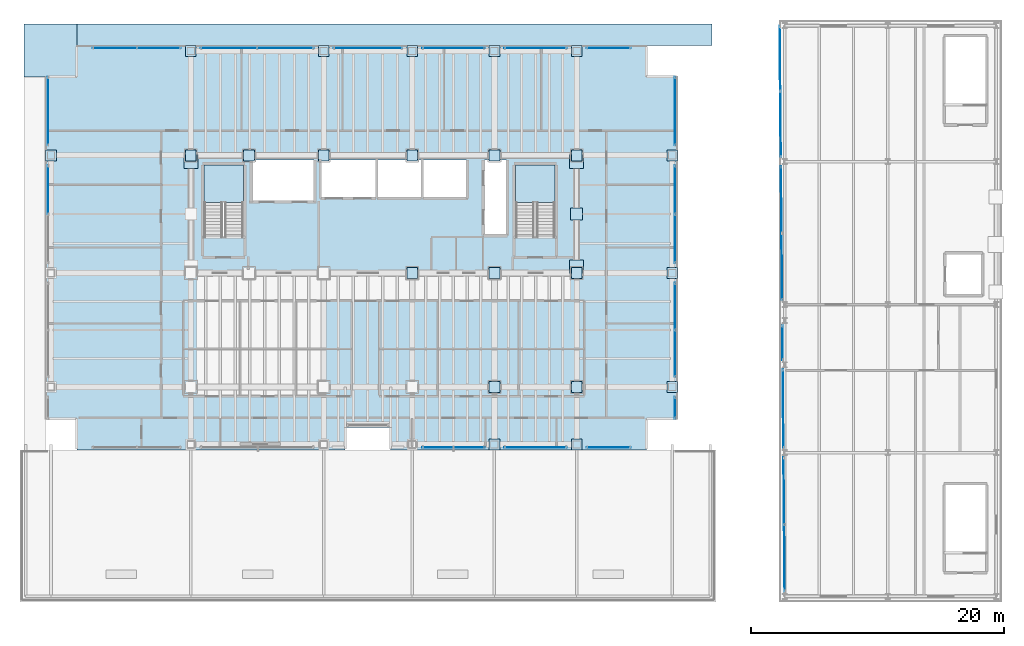
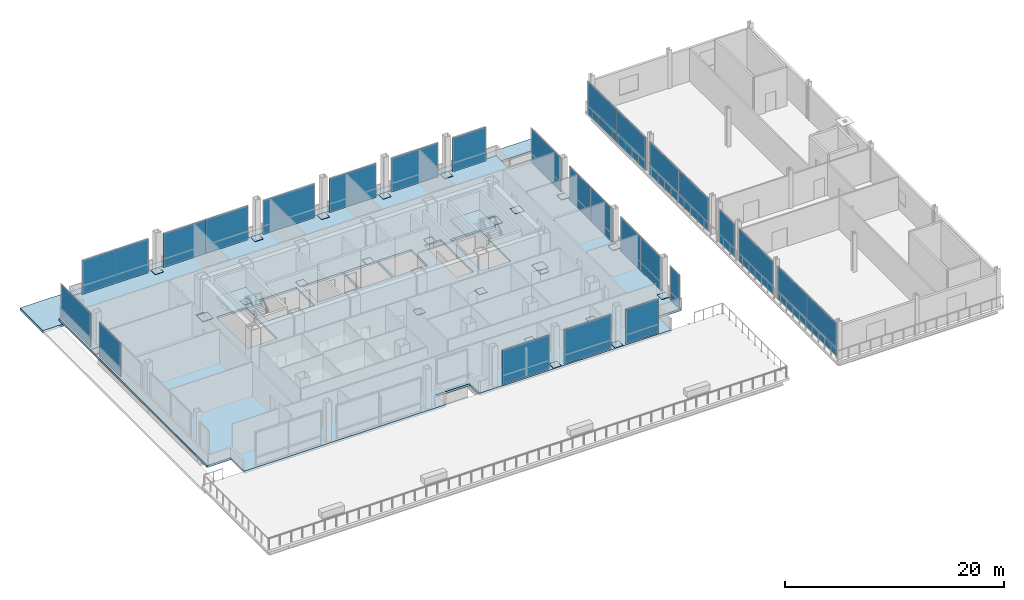
# One storey, part 24 of 34: 53 plates, 5 slabs, 7 openings, 22 elements without a shape of their own.
"""IFC4 building model written with IfcOpenShell, lengths in metres."""

from ifc_helpers import new_model, si_unit, direction, frame, origin, origin_2d, place, context, subcontext, project, spatial, polyline, rectangle, outline, extrude, material, layer, layer_set, type_object, element, aggregate, save


model = new_model("IFC4")

# Units and contexts
model_context = context("Model", 3, precision=1e-05, world=origin(), true_north=direction((0.0, 1.0)))
body_context = subcontext(model_context, "Body", "Model", "MODEL_VIEW")
ifc_project = project(units=[si_unit("LENGTHUNIT", "METRE"), si_unit("AREAUNIT", "SQUARE_METRE"), si_unit("VOLUMEUNIT", "CUBIC_METRE"), si_unit("PLANEANGLEUNIT", "RADIAN"), si_unit("MASSUNIT", "GRAM", prefix="KILO")], contexts=[model_context])

# Site, building, storey
site_placement = place(None, origin())
site = spatial("IfcSite", under=ifc_project, at=site_placement, CompositionType="ELEMENT")
building_placement = place(site_placement, origin())
building = spatial("IfcBuilding", under=site, at=building_placement, Name="Noeulbin Bourse Tower", CompositionType="ELEMENT")
storey_placement = place(building_placement, frame((0.0, 0.0, 22.0)))
storey = spatial("IfcBuildingStorey", under=building, at=storey_placement, Name="L05", CompositionType="ELEMENT", Elevation=22.0)

# Curtain wall, plates
ifc_material_1 = material(Name="Laminated Clear Low-E Glass", Category="glass")
curtain_wall_type_1 = type_object("IfcCurtainWallType", Name="CW-SYS-1", PredefinedType="NOTDEFINED", material=ifc_material_1)
curtain_wall_1_placement = place(storey_placement, origin())
curtain_wall_1 = element("IfcCurtainWall", 1, at=curtain_wall_1_placement, inside=storey, type_object=curtain_wall_type_1, Name="Unitised Curtain Wall CW-L05-MKT-W-S1", PredefinedType="NOTDEFINED")
ifc_layer_1 = layer(ifc_material_1, 0.035888671875)
ifc_layer_set_1 = layer_set([ifc_layer_1], Name="Laminated Clear Low-E Glass")
plate_type_1 = type_object("IfcPlateType", Name="CW-SYS-1-PNL", PredefinedType="CURTAIN_PANEL", material=ifc_layer_set_1)
plate_1_placement = place(storey_placement, frame((60.423095703125, 6.474609375, 0.0), z_axis=(0.0, 0.0, 1.0), x_axis=(-0.008866156436, 0.999960694863, 0.0)))
plate_1 = element("IfcPlate", 2, at=plate_1_placement, type_object=plate_type_1, Name="Glazed Curtain Panel CW-L05-MKT-W-S1-P00", PredefinedType="CURTAIN_PANEL", context=body_context, shape_type="SweptSolid", body=[
    extrude(rectangle(XDim=5.30126953125, YDim=0.035888671875, at=origin_2d()), origin(), (0.0, 0.0, 1.0), 3.669921875),
])
plate_2_placement = place(storey_placement, frame((60.376220703125, 11.775390625, 0.0), z_axis=(0.0, 0.0, 1.0), x_axis=(-0.008866156436, 0.999960694863, 0.0)))
plate_2 = element("IfcPlate", 3, at=plate_2_placement, type_object=plate_type_1, Name="Glazed Curtain Panel CW-L05-MKT-W-S1-P01", PredefinedType="CURTAIN_PANEL", context=body_context, shape_type="SweptSolid", body=[
    extrude(rectangle(XDim=5.30126953125, YDim=0.035888671875, at=origin_2d()), origin(), (0.0, 0.0, 1.0), 3.669921875),
])
aggregate(curtain_wall_1, [plate_1, plate_2])

# Curtain wall, plate
curtain_wall_2_placement = place(storey_placement, origin())
curtain_wall_2 = element("IfcCurtainWall", 4, at=curtain_wall_2_placement, inside=storey, type_object=curtain_wall_type_1, Name="Unitised Curtain Wall CW-L05-MKT-W-S2", PredefinedType="NOTDEFINED")
plate_3_placement = place(storey_placement, frame((60.318603515625, 18.27490234375, 0.0), z_axis=(0.0, 0.0, 1.0), x_axis=(-0.008866156436, 0.999960694863, 0.0)))
plate_3 = element("IfcPlate", 5, at=plate_3_placement, type_object=plate_type_1, Name="Glazed Curtain Panel CW-L05-MKT-W-S2-P00", PredefinedType="CURTAIN_PANEL", context=body_context, shape_type="SweptSolid", body=[
    extrude(rectangle(XDim=6.2021484375, YDim=0.035888671875, at=origin_2d()), origin(), (0.0, 0.0, 1.0), 3.669921875),
])
aggregate(curtain_wall_2, [plate_3])

curtain_wall_3_placement = place(storey_placement, origin())
curtain_wall_3 = element("IfcCurtainWall", 6, at=curtain_wall_3_placement, inside=storey, type_object=curtain_wall_type_1, Name="Unitised Curtain Wall CW-L05-MKT-W-S3", PredefinedType="NOTDEFINED")
plate_4_placement = place(storey_placement, frame((60.272216796875, 23.5, 0.0), z_axis=(0.0, 0.0, 1.0), x_axis=(-0.008866156436, 0.999960694863, 0.0)))
plate_4 = element("IfcPlate", 7, at=plate_4_placement, type_object=plate_type_1, Name="Glazed Curtain Panel CW-L05-MKT-W-S3-P00", PredefinedType="CURTAIN_PANEL", context=body_context, shape_type="SweptSolid", body=[
    extrude(rectangle(XDim=2.752197265625, YDim=0.035888671875, at=origin_2d()), origin(), (0.0, 0.0, 1.0), 3.669921875),
])
aggregate(curtain_wall_3, [plate_4])

# Curtain wall, plates
curtain_wall_4_placement = place(storey_placement, origin())
curtain_wall_4 = element("IfcCurtainWall", 8, at=curtain_wall_4_placement, inside=storey, type_object=curtain_wall_type_1, Name="Unitised Curtain Wall CW-L05-MKT-W-S4", PredefinedType="NOTDEFINED")
plate_5_placement = place(storey_placement, frame((60.21875, 29.511962890625, 0.0), z_axis=(0.0, 0.0, 1.0), x_axis=(-0.008866156436, 0.999960694863, 0.0)))
plate_5 = element("IfcPlate", 9, at=plate_5_placement, type_object=plate_type_1, Name="Glazed Curtain Panel CW-L05-MKT-W-S4-P00", PredefinedType="CURTAIN_PANEL", context=body_context, shape_type="SweptSolid", body=[
    extrude(rectangle(XDim=5.276123046875, YDim=0.035888671875, at=origin_2d()), origin(), (0.0, 0.0, 1.0), 3.669921875),
])
plate_6_placement = place(storey_placement, frame((60.172119140625, 34.7880859375, 0.0), z_axis=(0.0, 0.0, 1.0), x_axis=(-0.008866156436, 0.999960694863, 0.0)))
plate_6 = element("IfcPlate", 10, at=plate_6_placement, type_object=plate_type_1, Name="Glazed Curtain Panel CW-L05-MKT-W-S4-P01", PredefinedType="CURTAIN_PANEL", context=body_context, shape_type="SweptSolid", body=[
    extrude(rectangle(XDim=5.276123046875, YDim=0.035888671875, at=origin_2d()), origin(), (0.0, 0.0, 1.0), 3.669921875),
])
aggregate(curtain_wall_4, [plate_5, plate_6])

curtain_wall_5_placement = place(storey_placement, origin())
curtain_wall_5 = element("IfcCurtainWall", 11, at=curtain_wall_5_placement, inside=storey, type_object=curtain_wall_type_1, Name="Unitised Curtain Wall CW-L05-MKT-W-S5", PredefinedType="NOTDEFINED")
plate_7_placement = place(storey_placement, frame((60.118896484375, 40.76806640625, 0.0), z_axis=(0.0, 0.0, 1.0), x_axis=(-0.008866156436, 0.999960694863, 0.0)))
plate_7 = element("IfcPlate", 12, at=plate_7_placement, type_object=plate_type_1, Name="Glazed Curtain Panel CW-L05-MKT-W-S5-P00", PredefinedType="CURTAIN_PANEL", context=body_context, shape_type="SweptSolid", body=[
    extrude(rectangle(XDim=5.188232421875, YDim=0.035888671875, at=origin_2d()), origin(), (0.0, 0.0, 1.0), 3.669921875),
])
plate_8_placement = place(storey_placement, frame((60.072998046875, 45.9560546875, 0.0), z_axis=(0.0, 0.0, 1.0), x_axis=(-0.008866156436, 0.999960694863, 0.0)))
plate_8 = element("IfcPlate", 13, at=plate_8_placement, type_object=plate_type_1, Name="Glazed Curtain Panel CW-L05-MKT-W-S5-P01", PredefinedType="CURTAIN_PANEL", context=body_context, shape_type="SweptSolid", body=[
    extrude(rectangle(XDim=5.188232421875, YDim=0.035888671875, at=origin_2d()), origin(), (0.0, 0.0, 1.0), 3.669921875),
])
aggregate(curtain_wall_5, [plate_7, plate_8])

# Curtain wall, plate
ifc_material_2 = material(Name="Dark Solar-Control Double Glazing", Category="glass")
curtain_wall_type_2 = type_object("IfcCurtainWallType", Name="CW-SYS-2", PredefinedType="NOTDEFINED", material=ifc_material_2)
curtain_wall_6_placement = place(storey_placement, origin())
curtain_wall_6 = element("IfcCurtainWall", 14, at=curtain_wall_6_placement, inside=storey, type_object=curtain_wall_type_2, Name="Unitised Curtain Wall CW-L05-S2-S1", PredefinedType="NOTDEFINED")
ifc_layer_2 = layer(ifc_material_2, 0.035888671875)
ifc_layer_set_2 = layer_set([ifc_layer_2], Name="Dark Solar-Control Double Glazing")
plate_type_2 = type_object("IfcPlateType", Name="CW-SYS-2-PNL", PredefinedType="CURTAIN_PANEL", material=ifc_layer_set_2)
plate_9_placement = place(storey_placement, frame((34.25, 15.219970703125, 0.0), z_axis=(0.0, 0.0, 1.0), x_axis=(1.0, 0.0, 0.0)))
plate_9 = element("IfcPlate", 15, at=plate_9_placement, type_object=plate_type_2, Name="Glazed Curtain Panel CW-L05-S2-S1-P00", PredefinedType="CURTAIN_PANEL", context=body_context, shape_type="SweptSolid", body=[
    extrude(rectangle(XDim=4.929931640625, YDim=0.035888671875, at=origin_2d()), origin(), (0.0, 0.0, 1.0), 3.780029296875),
])
aggregate(curtain_wall_6, [plate_9])

curtain_wall_7_placement = place(storey_placement, origin())
curtain_wall_7 = element("IfcCurtainWall", 16, at=curtain_wall_7_placement, inside=storey, type_object=curtain_wall_type_2, Name="Unitised Curtain Wall CW-L05-S2-S2", PredefinedType="NOTDEFINED")
plate_10_placement = place(storey_placement, frame((40.75, 15.219970703125, 0.0), z_axis=(0.0, 0.0, 1.0), x_axis=(1.0, 0.0, 0.0)))
plate_10 = element("IfcPlate", 17, at=plate_10_placement, type_object=plate_type_2, Name="Glazed Curtain Panel CW-L05-S2-S2-P00", PredefinedType="CURTAIN_PANEL", context=body_context, shape_type="SweptSolid", body=[
    extrude(rectangle(XDim=4.929931640625, YDim=0.035888671875, at=origin_2d()), origin(), (0.0, 0.0, 1.0), 3.780029296875),
])
aggregate(curtain_wall_7, [plate_10])

curtain_wall_8_placement = place(storey_placement, origin())
curtain_wall_8 = element("IfcCurtainWall", 18, at=curtain_wall_8_placement, inside=storey, type_object=curtain_wall_type_2, Name="Unitised Curtain Wall CW-L05-S2-S3", PredefinedType="NOTDEFINED")
plate_11_placement = place(storey_placement, frame((46.52490234375, 15.219970703125, 0.0), z_axis=(0.0, 0.0, 1.0), x_axis=(1.0, 0.0, 0.0)))
plate_11 = element("IfcPlate", 19, at=plate_11_placement, type_object=plate_type_2, Name="Glazed Curtain Panel CW-L05-S2-S3-P00", PredefinedType="CURTAIN_PANEL", context=body_context, shape_type="SweptSolid", body=[
    extrude(rectangle(XDim=3.47998046875, YDim=0.035888671875, at=origin_2d()), origin(), (0.0, 0.0, 1.0), 3.780029296875),
])
aggregate(curtain_wall_8, [plate_11])

# Curtain wall, plates
curtain_wall_9_placement = place(storey_placement, origin())
curtain_wall_9 = element("IfcCurtainWall", 20, at=curtain_wall_9_placement, inside=storey, type_object=curtain_wall_type_2, Name="Unitised Curtain Wall CW-L05-N-S1", PredefinedType="NOTDEFINED")
plate_12_placement = place(storey_placement, frame((7.47998046875, 46.780029296875, 0.0), z_axis=(0.0, 0.0, 1.0), x_axis=(1.0, 0.0, 0.0)))
plate_12 = element("IfcPlate", 21, at=plate_12_placement, type_object=plate_type_2, Name="Glazed Curtain Panel CW-L05-N-S1-P00", PredefinedType="CURTAIN_PANEL", context=body_context, shape_type="SweptSolid", body=[
    extrude(rectangle(XDim=3.489990234375, YDim=0.035888671875, at=origin_2d()), origin(), (0.0, 0.0, 1.0), 3.780029296875),
])
plate_13_placement = place(storey_placement, frame((10.969970703125, 46.780029296875, 0.0), z_axis=(0.0, 0.0, 1.0), x_axis=(1.0, 0.0, 0.0)))
plate_13 = element("IfcPlate", 22, at=plate_13_placement, type_object=plate_type_2, Name="Glazed Curtain Panel CW-L05-N-S1-P01", PredefinedType="CURTAIN_PANEL", context=body_context, shape_type="SweptSolid", body=[
    extrude(rectangle(XDim=3.489990234375, YDim=0.035888671875, at=origin_2d()), origin(), (0.0, 0.0, 1.0), 3.780029296875),
])
aggregate(curtain_wall_9, [plate_12, plate_13])

curtain_wall_10_placement = place(storey_placement, origin())
curtain_wall_10 = element("IfcCurtainWall", 23, at=curtain_wall_10_placement, inside=storey, type_object=curtain_wall_type_2, Name="Unitised Curtain Wall CW-L05-N-S2", PredefinedType="NOTDEFINED")
plate_14_placement = place(storey_placement, frame((16.517578125, 46.780029296875, 0.0), z_axis=(0.0, 0.0, 1.0), x_axis=(1.0, 0.0, 0.0)))
plate_14 = element("IfcPlate", 24, at=plate_14_placement, type_object=plate_type_2, Name="Glazed Curtain Panel CW-L05-N-S2-P00", PredefinedType="CURTAIN_PANEL", context=body_context, shape_type="SweptSolid", body=[
    extrude(rectangle(XDim=4.465087890625, YDim=0.035888671875, at=origin_2d()), origin(), (0.0, 0.0, 1.0), 3.780029296875),
])
plate_15_placement = place(storey_placement, frame((20.982421875, 46.780029296875, 0.0), z_axis=(0.0, 0.0, 1.0), x_axis=(1.0, 0.0, 0.0)))
plate_15 = element("IfcPlate", 25, at=plate_15_placement, type_object=plate_type_2, Name="Glazed Curtain Panel CW-L05-N-S2-P01", PredefinedType="CURTAIN_PANEL", context=body_context, shape_type="SweptSolid", body=[
    extrude(rectangle(XDim=4.465087890625, YDim=0.035888671875, at=origin_2d()), origin(), (0.0, 0.0, 1.0), 3.780029296875),
])
aggregate(curtain_wall_10, [plate_14, plate_15])

# Curtain wall, plate
curtain_wall_11_placement = place(storey_placement, origin())
curtain_wall_11 = element("IfcCurtainWall", 26, at=curtain_wall_11_placement, inside=storey, type_object=curtain_wall_type_2, Name="Unitised Curtain Wall CW-L05-N-S3", PredefinedType="NOTDEFINED")
plate_16_placement = place(storey_placement, frame((27.5, 46.780029296875, 0.0), z_axis=(0.0, 0.0, 1.0), x_axis=(1.0, 0.0, 0.0)))
plate_16 = element("IfcPlate", 27, at=plate_16_placement, type_object=plate_type_2, Name="Glazed Curtain Panel CW-L05-N-S3-P00", PredefinedType="CURTAIN_PANEL", context=body_context, shape_type="SweptSolid", body=[
    extrude(rectangle(XDim=5.429931640625, YDim=0.035888671875, at=origin_2d()), origin(), (0.0, 0.0, 1.0), 3.780029296875),
])
aggregate(curtain_wall_11, [plate_16])

curtain_wall_12_placement = place(storey_placement, origin())
curtain_wall_12 = element("IfcCurtainWall", 28, at=curtain_wall_12_placement, inside=storey, type_object=curtain_wall_type_2, Name="Unitised Curtain Wall CW-L05-N-S4", PredefinedType="NOTDEFINED")
plate_17_placement = place(storey_placement, frame((34.25, 46.780029296875, 0.0), z_axis=(0.0, 0.0, 1.0), x_axis=(1.0, 0.0, 0.0)))
plate_17 = element("IfcPlate", 29, at=plate_17_placement, type_object=plate_type_2, Name="Glazed Curtain Panel CW-L05-N-S4-P00", PredefinedType="CURTAIN_PANEL", context=body_context, shape_type="SweptSolid", body=[
    extrude(rectangle(XDim=4.929931640625, YDim=0.035888671875, at=origin_2d()), origin(), (0.0, 0.0, 1.0), 3.780029296875),
])
aggregate(curtain_wall_12, [plate_17])

curtain_wall_13_placement = place(storey_placement, origin())
curtain_wall_13 = element("IfcCurtainWall", 30, at=curtain_wall_13_placement, inside=storey, type_object=curtain_wall_type_2, Name="Unitised Curtain Wall CW-L05-N-S5", PredefinedType="NOTDEFINED")
plate_18_placement = place(storey_placement, frame((40.75, 46.780029296875, 0.0), z_axis=(0.0, 0.0, 1.0), x_axis=(1.0, 0.0, 0.0)))
plate_18 = element("IfcPlate", 31, at=plate_18_placement, type_object=plate_type_2, Name="Glazed Curtain Panel CW-L05-N-S5-P00", PredefinedType="CURTAIN_PANEL", context=body_context, shape_type="SweptSolid", body=[
    extrude(rectangle(XDim=4.929931640625, YDim=0.035888671875, at=origin_2d()), origin(), (0.0, 0.0, 1.0), 3.780029296875),
])
aggregate(curtain_wall_13, [plate_18])

curtain_wall_14_placement = place(storey_placement, origin())
curtain_wall_14 = element("IfcCurtainWall", 32, at=curtain_wall_14_placement, inside=storey, type_object=curtain_wall_type_2, Name="Unitised Curtain Wall CW-L05-N-S6", PredefinedType="NOTDEFINED")
plate_19_placement = place(storey_placement, frame((46.52490234375, 46.780029296875, 0.0), z_axis=(0.0, 0.0, 1.0), x_axis=(1.0, 0.0, 0.0)))
plate_19 = element("IfcPlate", 33, at=plate_19_placement, type_object=plate_type_2, Name="Glazed Curtain Panel CW-L05-N-S6-P00", PredefinedType="CURTAIN_PANEL", context=body_context, shape_type="SweptSolid", body=[
    extrude(rectangle(XDim=3.47998046875, YDim=0.035888671875, at=origin_2d()), origin(), (0.0, 0.0, 1.0), 3.780029296875),
])
aggregate(curtain_wall_14, [plate_19])

curtain_wall_15_placement = place(storey_placement, origin())
curtain_wall_15 = element("IfcCurtainWall", 34, at=curtain_wall_15_placement, inside=storey, type_object=curtain_wall_type_2, Name="Unitised Curtain Wall CW-L05-W-S3", PredefinedType="NOTDEFINED")
plate_20_placement = place(storey_placement, frame((2.219970703125, 35.58251953125, 0.0), z_axis=(0.0, 0.0, 1.0), x_axis=(0.0, 1.0, 0.0)))
plate_20 = element("IfcPlate", 35, at=plate_20_placement, type_object=plate_type_2, Name="Glazed Curtain Panel CW-L05-W-S3-P01", PredefinedType="CURTAIN_PANEL", context=body_context, shape_type="SweptSolid", body=[
    extrude(rectangle(XDim=3.864990234375, YDim=0.035888671875, at=origin_2d()), origin(), (0.0, 0.0, 1.0), 3.780029296875),
])
aggregate(curtain_wall_15, [plate_20])

curtain_wall_16_placement = place(storey_placement, origin())
curtain_wall_16 = element("IfcCurtainWall", 36, at=curtain_wall_16_placement, inside=storey, type_object=curtain_wall_type_2, Name="Unitised Curtain Wall CW-L05-W-S4", PredefinedType="NOTDEFINED")
plate_21_placement = place(storey_placement, frame((2.219970703125, 41.802490234375, 0.0), z_axis=(0.0, 0.0, 1.0), x_axis=(0.0, 1.0, 0.0)))
plate_21 = element("IfcPlate", 37, at=plate_21_placement, type_object=plate_type_2, Name="Glazed Curtain Panel CW-L05-W-S4-P00", PredefinedType="CURTAIN_PANEL", context=body_context, shape_type="SweptSolid", body=[
    extrude(rectangle(XDim=5.43505859375, YDim=0.035888671875, at=origin_2d()), origin(), (0.0, 0.0, 1.0), 3.780029296875),
])
aggregate(curtain_wall_16, [plate_21])

curtain_wall_17_placement = place(storey_placement, origin())
curtain_wall_17 = element("IfcCurtainWall", 38, at=curtain_wall_17_placement, inside=storey, type_object=curtain_wall_type_2, Name="Unitised Curtain Wall CW-L05-E-S1", PredefinedType="NOTDEFINED")
plate_22_placement = place(storey_placement, frame((51.780029296875, 18.347412109375, 0.0), z_axis=(0.0, 0.0, 1.0), x_axis=(0.0, 1.0, 0.0)))
plate_22 = element("IfcPlate", 39, at=plate_22_placement, type_object=plate_type_2, Name="Glazed Curtain Panel CW-L05-E-S1-P00", PredefinedType="CURTAIN_PANEL", context=body_context, shape_type="SweptSolid", body=[
    extrude(rectangle(XDim=1.735107421875, YDim=0.035888671875, at=origin_2d()), origin(), (0.0, 0.0, 1.0), 3.780029296875),
])
aggregate(curtain_wall_17, [plate_22])

# Curtain wall, plates
curtain_wall_18_placement = place(storey_placement, origin())
curtain_wall_18 = element("IfcCurtainWall", 40, at=curtain_wall_18_placement, inside=storey, type_object=curtain_wall_type_2, Name="Unitised Curtain Wall CW-L05-E-S2", PredefinedType="NOTDEFINED")
plate_23_placement = place(storey_placement, frame((51.780029296875, 22.642578125, 0.0), z_axis=(0.0, 0.0, 1.0), x_axis=(0.0, 1.0, 0.0)))
plate_23 = element("IfcPlate", 41, at=plate_23_placement, type_object=plate_type_2, Name="Glazed Curtain Panel CW-L05-E-S2-P00", PredefinedType="CURTAIN_PANEL", context=body_context, shape_type="SweptSolid", body=[
    extrude(rectangle(XDim=3.715087890625, YDim=0.035888671875, at=origin_2d()), origin(), (0.0, 0.0, 1.0), 3.780029296875),
])
plate_24_placement = place(storey_placement, frame((51.780029296875, 26.357421875, 0.0), z_axis=(0.0, 0.0, 1.0), x_axis=(0.0, 1.0, 0.0)))
plate_24 = element("IfcPlate", 42, at=plate_24_placement, type_object=plate_type_2, Name="Glazed Curtain Panel CW-L05-E-S2-P01", PredefinedType="CURTAIN_PANEL", context=body_context, shape_type="SweptSolid", body=[
    extrude(rectangle(XDim=3.715087890625, YDim=0.035888671875, at=origin_2d()), origin(), (0.0, 0.0, 1.0), 3.780029296875),
])
aggregate(curtain_wall_18, [plate_23, plate_24])

curtain_wall_19_placement = place(storey_placement, origin())
curtain_wall_19 = element("IfcCurtainWall", 43, at=curtain_wall_19_placement, inside=storey, type_object=curtain_wall_type_2, Name="Unitised Curtain Wall CW-L05-E-S3", PredefinedType="NOTDEFINED")
plate_25_placement = place(storey_placement, frame((51.780029296875, 31.717529296875, 0.0), z_axis=(0.0, 0.0, 1.0), x_axis=(0.0, 1.0, 0.0)))
plate_25 = element("IfcPlate", 44, at=plate_25_placement, type_object=plate_type_2, Name="Glazed Curtain Panel CW-L05-E-S3-P00", PredefinedType="CURTAIN_PANEL", context=body_context, shape_type="SweptSolid", body=[
    extrude(rectangle(XDim=3.864990234375, YDim=0.035888671875, at=origin_2d()), origin(), (0.0, 0.0, 1.0), 3.780029296875),
])
plate_26_placement = place(storey_placement, frame((51.780029296875, 35.58251953125, 0.0), z_axis=(0.0, 0.0, 1.0), x_axis=(0.0, 1.0, 0.0)))
plate_26 = element("IfcPlate", 45, at=plate_26_placement, type_object=plate_type_2, Name="Glazed Curtain Panel CW-L05-E-S3-P01", PredefinedType="CURTAIN_PANEL", context=body_context, shape_type="SweptSolid", body=[
    extrude(rectangle(XDim=3.864990234375, YDim=0.035888671875, at=origin_2d()), origin(), (0.0, 0.0, 1.0), 3.780029296875),
])
aggregate(curtain_wall_19, [plate_25, plate_26])

# Curtain wall, plate
curtain_wall_20_placement = place(storey_placement, origin())
curtain_wall_20 = element("IfcCurtainWall", 46, at=curtain_wall_20_placement, inside=storey, type_object=curtain_wall_type_2, Name="Unitised Curtain Wall CW-L05-E-S4", PredefinedType="NOTDEFINED")
plate_27_placement = place(storey_placement, frame((51.780029296875, 41.802490234375, 0.0), z_axis=(0.0, 0.0, 1.0), x_axis=(0.0, 1.0, 0.0)))
plate_27 = element("IfcPlate", 47, at=plate_27_placement, type_object=plate_type_2, Name="Glazed Curtain Panel CW-L05-E-S4-P00", PredefinedType="CURTAIN_PANEL", context=body_context, shape_type="SweptSolid", body=[
    extrude(rectangle(XDim=5.43505859375, YDim=0.035888671875, at=origin_2d()), origin(), (0.0, 0.0, 1.0), 3.780029296875),
])
aggregate(curtain_wall_20, [plate_27])

# Plates
ifc_material_3 = material(Name="Steel S355", Category="steel")
ifc_layer_3 = layer(ifc_material_3, 0.030029296875)
ifc_layer_set_3 = layer_set([ifc_layer_3], Name="Steel S355")
plate_type_3 = type_object("IfcPlateType", Name="PLT-BN1", PredefinedType="USERDEFINED", material=ifc_layer_set_3)
for number, where, z_axis, x_axis, name in (
    (48, (13.5, 38.300048828125, 0.0048828125), (0.0, 0.0, 1.0), (1.0, 0.0, 0.0), "Mega-Column Splice Plate BN1-L05-02"),
    (49, (18.10009765625, 38.300048828125, 0.0048828125), (0.0, 0.0, 1.0), (1.0, 0.0, 0.0), "Mega-Column Splice Plate BN1-L05-04"),
    (50, (24.0, 38.300048828125, 0.0048828125), (0.0, 0.0, 1.0), (1.0, 0.0, 0.0), "Mega-Column Splice Plate BN1-L05-06"),
    (51, (31.0, 29.0, 0.0048828125), (0.0, 0.0, 1.0), (1.0, 0.0, 0.0), "Mega-Column Splice Plate BN1-L05-07"),
    (52, (31.0, 38.300048828125, 0.0048828125), (0.0, 0.0, 1.0), (1.0, 0.0, 0.0), "Mega-Column Splice Plate BN1-L05-08"),
    (53, (37.5, 29.0, 0.0048828125), (0.0, 0.0, 1.0), (1.0, 0.0, 0.0), "Mega-Column Splice Plate BN1-L05-09"),
    (54, (37.5, 38.300048828125, 0.0048828125), (0.0, 0.0, 1.0), (1.0, 0.0, 0.0), "Mega-Column Splice Plate BN1-L05-10"),
    (55, (44.0, 29.0, 0.0048828125), (0.0, 0.0, 1.0), (1.0, 0.0, 0.0), "Mega-Column Splice Plate BN1-L05-11"),
    (56, (44.0, 38.300048828125, 0.0048828125), (0.0, 0.0, 1.0), (1.0, 0.0, 0.0), "Mega-Column Splice Plate BN1-L05-12"),
    (57, (37.5, 20.0, 0.0048828125), (0.0, 0.0, 1.0), (1.0, 0.0, 0.0), "Mega-Column Splice Plate BN1-L05-16"),
    (58, (44.0, 20.0, 0.0048828125), (0.0, 0.0, 1.0), (1.0, 0.0, 0.0), "Mega-Column Splice Plate BN1-L05-17"),
    (59, (2.449951171875, 38.300048828125, 0.0048828125), (0.0, 0.0, 1.0), (1.0, 0.0, 0.0), "Perimeter Column Splice Plate BN1-L05-03"),
    (60, (13.5, 46.550048828125, 0.0048828125), (0.0, 0.0, 1.0), (1.0, 0.0, 0.0), "Perimeter Column Splice Plate BN1-L05-05"),
    (61, (24.0, 46.550048828125, 0.0048828125), (0.0, 0.0, 1.0), (1.0, 0.0, 0.0), "Perimeter Column Splice Plate BN1-L05-07"),
    (62, (31.0, 46.550048828125, 0.0048828125), (0.0, 0.0, 1.0), (1.0, 0.0, 0.0), "Perimeter Column Splice Plate BN1-L05-09"),
    (63, (37.5, 15.449951171875, 0.0048828125), (0.0, 0.0, 1.0), (1.0, 0.0, 0.0), "Perimeter Column Splice Plate BN1-L05-10"),
    (64, (37.5, 46.550048828125, 0.0048828125), (0.0, 0.0, 1.0), (1.0, 0.0, 0.0), "Perimeter Column Splice Plate BN1-L05-11"),
    (65, (44.0, 15.449951171875, 0.0048828125), (0.0, 0.0, 1.0), (1.0, 0.0, 0.0), "Perimeter Column Splice Plate BN1-L05-12"),
    (66, (44.0, 46.550048828125, 0.0048828125), (0.0, 0.0, 1.0), (1.0, 0.0, 0.0), "Perimeter Column Splice Plate BN1-L05-13"),
    (67, (51.550048828125, 20.0, 0.0048828125), (0.0, 0.0, 1.0), (1.0, 0.0, 0.0), "Perimeter Column Splice Plate BN1-L05-14"),
    (68, (51.550048828125, 29.0, 0.0048828125), (0.0, 0.0, 1.0), (1.0, 0.0, 0.0), "Perimeter Column Splice Plate BN1-L05-15"),
    (69, (51.550048828125, 38.300048828125, 0.0048828125), (0.0, 0.0, 1.0), (1.0, 0.0, 0.0), "Perimeter Column Splice Plate BN1-L05-16"),
):
    element("IfcPlate", number, at=place(storey_placement, frame(where, z_axis=z_axis, x_axis=x_axis)), inside=storey, type_object=plate_type_3, Name=name, ObjectType="SPLICE PLATE", PredefinedType="USERDEFINED", context=body_context, shape_type="SweptSolid", body=[
        extrude(rectangle(XDim=0.85009765625, YDim=0.85009765625, at=origin_2d()), origin(), (0.0, 0.0, 1.0), 0.030029296875),
    ])
ifc_material_4 = material(Name="Steel S460", Category="steel")
ifc_layer_4 = layer(ifc_material_4, 0.035888671875)
ifc_layer_set_4 = layer_set([ifc_layer_4], Name="Steel S460")
plate_type_4 = type_object("IfcPlateType", Name="PLT-KN2", PredefinedType="USERDEFINED", material=ifc_layer_set_4)
for number, where, z_axis, x_axis, name in (
    (70, (13.5, 37.800048828125, 0.18212890625), (0.0, 0.0, 1.0), (1.0, 0.0, 0.0), "Core Flank Brace North Gusset Plate KN2-L05-WB"),
    (71, (44.0, 29.5, 0.18212890625), (0.0, 0.0, 1.0), (1.0, 0.0, 0.0), "Core Flank Brace South Gusset Plate KN2-L05-EA"),
    (72, (44.0, 37.800048828125, 0.18212890625), (0.0, 0.0, 1.0), (1.0, 0.0, 0.0), "Core Flank Brace North Gusset Plate KN2-L05-EB"),
):
    element("IfcPlate", number, at=place(storey_placement, frame(where, z_axis=z_axis, x_axis=x_axis)), inside=storey, type_object=plate_type_4, Name=name, ObjectType="GUSSET PLATE", PredefinedType="USERDEFINED", context=body_context, shape_type="SweptSolid", body=[
        extrude(rectangle(XDim=1.10009765625, YDim=1.10009765625, at=origin_2d()), origin(), (0.0, 0.0, 1.0), 0.035888671875),
    ])
ifc_layer_5 = layer(ifc_material_3, 0.031982421875)
ifc_layer_set_5 = layer_set([ifc_layer_5], Name="Steel S355")
plate_type_5 = type_object("IfcPlateType", Name="PLT-KN3", PredefinedType="USERDEFINED", material=ifc_layer_set_5)
plate_28_placement = place(storey_placement, frame((44.0, 33.64990234375, 3.9541015625), z_axis=(0.0, 0.0, 1.0), x_axis=(1.0, 0.0, 0.0)))
element("IfcPlate", 73, at=plate_28_placement, inside=storey, type_object=plate_type_5, Name="Core Flank Brace Apex End Plate KN3-L05-E", ObjectType="END PLATE", PredefinedType="USERDEFINED", context=body_context, shape_type="SweptSolid", body=[
    extrude(rectangle(XDim=0.949951171875, YDim=0.949951171875, at=origin_2d()), origin(), (0.0, 0.0, 1.0), 0.031982421875),
])

# Stair, slab
ifc_material_5 = material(Name="Concrete C40/50", Category="concrete")
stair_type = type_object("IfcStairType", Name="STR-CORE-1560", PredefinedType="HALF_TURN_STAIR", material=ifc_material_5)
stair_1_placement = place(storey_placement, origin())
stair_1 = element("IfcStair", 74, at=stair_1_placement, inside=storey, type_object=stair_type, Name="L05 ST-1", PredefinedType="HALF_TURN_STAIR")
ifc_layer_6 = layer(ifc_material_5, 0.199951171875)
ifc_layer_set_6 = layer_set([ifc_layer_6], Name="Concrete C40/50")
slab_type_1 = type_object("IfcSlabType", Name="SLB-LND-200", PredefinedType="LANDING", material=ifc_layer_set_6)
slab_1_placement = place(storey_placement, frame((0.0, 0.0, 2.050048828125)))
slab_1 = element("IfcSlab", 75, at=slab_1_placement, type_object=slab_type_1, Name="ST-1 landing 1", PredefinedType="LANDING", context=body_context, shape_type="SweptSolid", body=[
    extrude(outline(polyline([(17.64990234375, 34.58203125), (17.64990234375, 37.5439453125), (14.550048828125, 37.5439453125), (14.550048828125, 34.58203125), (17.64990234375, 34.58203125)])), origin(), (0.0, 0.0, 1.0), 0.199951171875),
])
aggregate(stair_1, [slab_1])

stair_2_placement = place(storey_placement, origin())
stair_2 = element("IfcStair", 76, at=stair_2_placement, inside=storey, type_object=stair_type, Name="L05 ST-2", PredefinedType="HALF_TURN_STAIR")
slab_2_placement = place(storey_placement, frame((0.0, 0.0, 2.050048828125)))
slab_2 = element("IfcSlab", 77, at=slab_2_placement, type_object=slab_type_1, Name="ST-2 landing 1", PredefinedType="LANDING", context=body_context, shape_type="SweptSolid", body=[
    extrude(outline(polyline([(42.280029296875, 34.58203125), (42.280029296875, 37.5439453125), (39.179931640625, 37.5439453125), (39.179931640625, 34.58203125), (42.280029296875, 34.58203125)])), origin(), (0.0, 0.0, 1.0), 0.199951171875),
])
aggregate(stair_2, [slab_2])

# Slabs
ifc_layer_7 = layer(ifc_material_5, 0.25)
ifc_layer_set_7 = layer_set([ifc_layer_7], Name="Concrete C40/50")
slab_type_2 = type_object("IfcSlabType", Name="SLB-ROOF-250", PredefinedType="ROOF", material=ifc_layer_set_7)
slab_3_placement = place(storey_placement, frame((0.0, 0.0, -1.02001953125)))
element("IfcSlab", 78, at=slab_3_placement, inside=storey, type_object=slab_type_2, Name="Podium North-West Corner Roof Slab L05", PredefinedType="ROOF", context=body_context, shape_type="SweptSolid", body=[
    extrude(outline(polyline([(0.300048828125, 44.5), (4.5, 44.5), (4.5, 48.699951171875), (0.300048828125, 48.699951171875), (0.300048828125, 44.5)])), origin(), (0.0, 0.0, 1.0), 0.25),
])
slab_4_placement = place(storey_placement, frame((0.0, 0.0, -1.02001953125)))
element("IfcSlab", 79, at=slab_4_placement, inside=storey, type_object=slab_type_2, Name="Podium North Perimeter Roof Slab L05", PredefinedType="ROOF", context=body_context, shape_type="SweptSolid", body=[
    extrude(outline(polyline([(4.5, 47.0), (54.699951171875, 47.0), (54.699951171875, 48.699951171875), (4.5, 48.699951171875), (4.5, 47.0)])), origin(), (0.0, 0.0, 1.0), 0.25),
])

# Slab, openings
ifc_layer_8 = layer(ifc_material_5, 0.239990234375)
ifc_layer_set_8 = layer_set([ifc_layer_8], Name="Concrete C40/50")
slab_type_3 = type_object("IfcSlabType", Name="SLB-TRF-240", PredefinedType="FLOOR", material=ifc_layer_set_8)
slab_5_placement = place(storey_placement, frame((0.0, 0.0, -0.239990234375)))
slab_5 = element("IfcSlab", 80, at=slab_5_placement, inside=storey, type_object=slab_type_3, Name="Tower Structural Floor Slab L05", PredefinedType="FLOOR", context=body_context, shape_type="SweptSolid", body=[
    extrude(outline(polyline([(4.5, 15.0), (25.699951171875, 15.0), (25.699951171875, 16.800048828125), (29.300048828125, 16.800048828125), (29.300048828125, 15.0), (49.5, 15.0), (49.5, 17.5), (52.0, 17.5), (52.0, 44.5), (49.5, 44.5), (49.5, 47.0), (4.5, 47.0), (4.5, 44.5), (2.0, 44.5), (2.0, 17.5), (4.5, 17.5), (4.5, 15.0)]), holes=[polyline([(17.64990234375, 31.81005859375), (17.64990234375, 37.5439453125), (14.550048828125, 37.5439453125), (14.550048828125, 31.81005859375), (17.64990234375, 31.81005859375)]), polyline([(42.280029296875, 31.81005859375), (42.280029296875, 37.5439453125), (39.179931640625, 37.5439453125), (39.179931640625, 31.81005859375), (42.280029296875, 31.81005859375)]), polyline([(18.35009765625, 34.699951171875), (23.25, 34.699951171875), (23.25, 37.949951171875), (18.35009765625, 37.949951171875), (18.35009765625, 34.699951171875)]), polyline([(36.699951171875, 32.050048828125), (38.449951171875, 32.050048828125), (38.449951171875, 37.949951171875), (36.699951171875, 37.949951171875), (36.699951171875, 32.050048828125)]), polyline([(23.800048828125, 35.0), (28.10009765625, 35.0), (28.10009765625, 37.949951171875), (23.800048828125, 37.949951171875), (23.800048828125, 35.0)]), polyline([(28.25, 35.0), (31.699951171875, 35.0), (31.699951171875, 37.949951171875), (28.25, 37.949951171875), (28.25, 35.0)]), polyline([(31.85009765625, 35.0), (35.300048828125, 35.0), (35.300048828125, 37.949951171875), (31.85009765625, 37.949951171875), (31.85009765625, 35.0)])]), origin(), (0.0, 0.0, 1.0), 0.239990234375),
])
opening_1_placement = place(slab_5_placement, frame((0.0, 0.0, -0.010009765625)))
element("IfcOpeningElement", 81, at=opening_1_placement, cuts=slab_5, Name="Slab Shaft Opening SLB-L05-TWR-1", PredefinedType="OPENING", context=body_context, shape_type="SweptSolid", body=[
    extrude(outline(polyline([(17.64990234375, 31.81005859375), (17.64990234375, 37.5439453125), (14.550048828125, 37.5439453125), (14.550048828125, 31.81005859375), (17.64990234375, 31.81005859375)])), origin(), (0.0, 0.0, 1.0), 0.260009765625),
])
opening_2_placement = place(slab_5_placement, frame((0.0, 0.0, -0.010009765625)))
element("IfcOpeningElement", 82, at=opening_2_placement, cuts=slab_5, Name="Slab Shaft Opening SLB-L05-TWR-2", PredefinedType="OPENING", context=body_context, shape_type="SweptSolid", body=[
    extrude(outline(polyline([(42.280029296875, 31.81005859375), (42.280029296875, 37.5439453125), (39.179931640625, 37.5439453125), (39.179931640625, 31.81005859375), (42.280029296875, 31.81005859375)])), origin(), (0.0, 0.0, 1.0), 0.260009765625),
])
opening_3_placement = place(slab_5_placement, frame((0.0, 0.0, -0.010009765625)))
element("IfcOpeningElement", 83, at=opening_3_placement, cuts=slab_5, Name="Slab Shaft Opening SLB-L05-TWR-3", PredefinedType="OPENING", context=body_context, shape_type="SweptSolid", body=[
    extrude(outline(polyline([(18.35009765625, 34.699951171875), (23.25, 34.699951171875), (23.25, 37.949951171875), (18.35009765625, 37.949951171875), (18.35009765625, 34.699951171875)])), origin(), (0.0, 0.0, 1.0), 0.260009765625),
])
opening_4_placement = place(slab_5_placement, frame((0.0, 0.0, -0.010009765625)))
element("IfcOpeningElement", 84, at=opening_4_placement, cuts=slab_5, Name="Slab Shaft Opening SLB-L05-TWR-4", PredefinedType="OPENING", context=body_context, shape_type="SweptSolid", body=[
    extrude(outline(polyline([(36.699951171875, 32.050048828125), (38.449951171875, 32.050048828125), (38.449951171875, 37.949951171875), (36.699951171875, 37.949951171875), (36.699951171875, 32.050048828125)])), origin(), (0.0, 0.0, 1.0), 0.260009765625),
])
opening_5_placement = place(slab_5_placement, frame((0.0, 0.0, -0.010009765625)))
element("IfcOpeningElement", 85, at=opening_5_placement, cuts=slab_5, Name="Slab Shaft Opening SLB-L05-TWR-5", PredefinedType="OPENING", context=body_context, shape_type="SweptSolid", body=[
    extrude(outline(polyline([(23.800048828125, 35.0), (28.10009765625, 35.0), (28.10009765625, 37.949951171875), (23.800048828125, 37.949951171875), (23.800048828125, 35.0)])), origin(), (0.0, 0.0, 1.0), 0.260009765625),
])
opening_6_placement = place(slab_5_placement, frame((0.0, 0.0, -0.010009765625)))
element("IfcOpeningElement", 86, at=opening_6_placement, cuts=slab_5, Name="Slab Shaft Opening SLB-L05-TWR-6", PredefinedType="OPENING", context=body_context, shape_type="SweptSolid", body=[
    extrude(outline(polyline([(28.25, 35.0), (31.699951171875, 35.0), (31.699951171875, 37.949951171875), (28.25, 37.949951171875), (28.25, 35.0)])), origin(), (0.0, 0.0, 1.0), 0.260009765625),
])
opening_7_placement = place(slab_5_placement, frame((0.0, 0.0, -0.010009765625)))
element("IfcOpeningElement", 87, at=opening_7_placement, cuts=slab_5, Name="Slab Shaft Opening SLB-L05-TWR-7", PredefinedType="OPENING", context=body_context, shape_type="SweptSolid", body=[
    extrude(outline(polyline([(31.85009765625, 35.0), (35.300048828125, 35.0), (35.300048828125, 37.949951171875), (31.85009765625, 37.949951171875), (31.85009765625, 35.0)])), origin(), (0.0, 0.0, 1.0), 0.260009765625),
])

save(model, "model.ifc")
